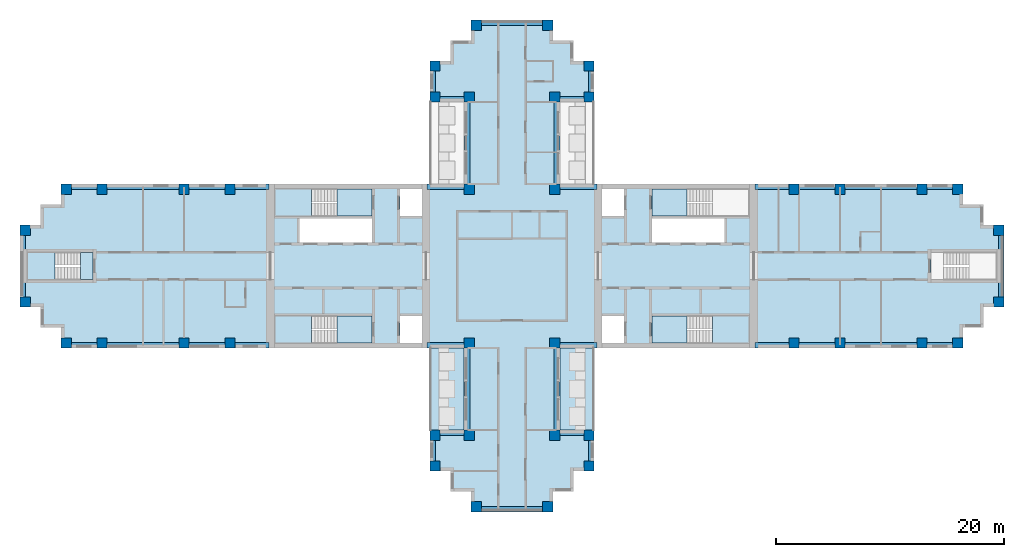
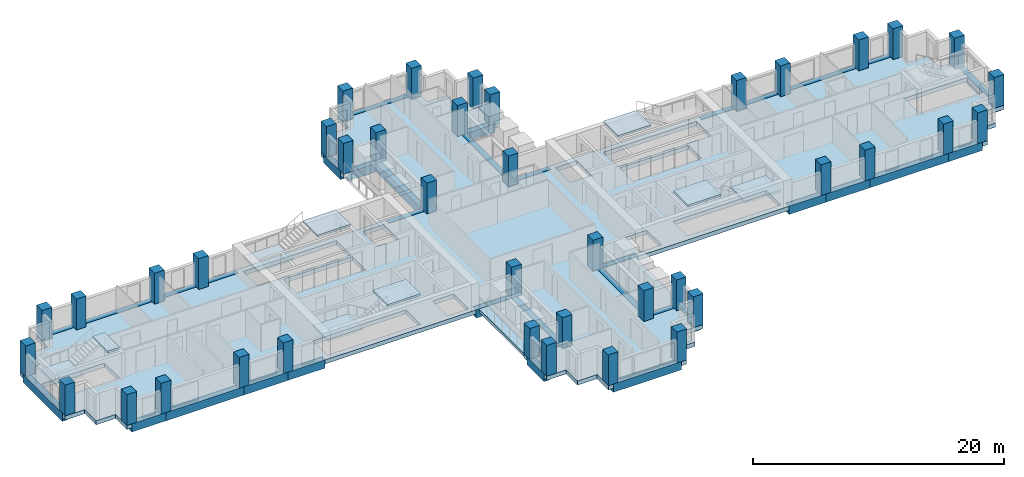
# One storey, part 1 of 11: 40 columns, 36 beams, 12 slabs, 5 elements without a shape of their own.
"""IFC4 building model written with IfcOpenShell, lengths in metres."""

from ifc_helpers import new_model, si_unit, direction, frame, origin, origin_2d, place, context, subcontext, project, spatial, polyline, rectangle, outline, extrude, material, layer, layer_set, material_profile, profile_set, type_object, element, aggregate, save


model = new_model("IFC4")

# Units and contexts
model_context = context("Model", 3, precision=1e-05, world=origin(), true_north=direction((0.0, 1.0)))
body_context = subcontext(model_context, "Body", "Model", "MODEL_VIEW")
ifc_project = project(units=[si_unit("LENGTHUNIT", "METRE"), si_unit("AREAUNIT", "SQUARE_METRE"), si_unit("VOLUMEUNIT", "CUBIC_METRE"), si_unit("PLANEANGLEUNIT", "RADIAN"), si_unit("MASSUNIT", "GRAM", prefix="KILO")], contexts=[model_context])

# Site, building, storey
site_placement = place(None, origin())
site = spatial("IfcSite", under=ifc_project, at=site_placement, CompositionType="ELEMENT")
building_placement = place(site_placement, origin())
building = spatial("IfcBuilding", under=site, at=building_placement, Name="Fustian Cross Tower", CompositionType="ELEMENT")
storey_placement = place(building_placement, frame((0.0, 0.0, 138.300048828125)))
storey = spatial("IfcBuildingStorey", under=building, at=storey_placement, Name="L43", CompositionType="ELEMENT", Elevation=138.300048828125)

# Columns
ifc_material_1 = material(Name="Concrete C50/60", Category="concrete")
ifc_material_profile_1 = material_profile(ifc_material_1, rectangle(XDim=0.89990234375, YDim=0.89990234375, at=origin_2d()), Name="RC 900x900")
ifc_profile_set_1 = profile_set([ifc_material_profile_1], Name="Concrete C50/60")
column_type = type_object("IfcColumnType", Name="COLUMN RC 900x900 C50/60", PredefinedType="COLUMN", material=ifc_profile_set_1)
for number, where, z_axis, x_axis, name in (
    (1, (-42.75, -3.14990234375, 0.0), (0.0, 0.0, 1.0), (1.0, 0.0, 0.0), "COLUMN 001"),
    (2, (-42.75, 3.14990234375, 0.0), (0.0, 0.0, 1.0), (1.0, 0.0, 0.0), "COLUMN 002"),
    (3, (-39.14990234375, -6.75, 0.0), (0.0, 0.0, 1.0), (1.0, 0.0, 0.0), "COLUMN 003"),
    (4, (-39.14990234375, 6.75, 0.0), (0.0, 0.0, 1.0), (1.0, 0.0, 0.0), "COLUMN 004"),
    (5, (-36.0, -6.75, 0.0), (0.0, 0.0, 1.0), (1.0, 0.0, 0.0), "COLUMN 005"),
    (6, (-36.0, 6.75, 0.0), (0.0, 0.0, 1.0), (1.0, 0.0, 0.0), "COLUMN 006"),
    (7, (-28.800048828125, -6.75, 0.0), (0.0, 0.0, 1.0), (1.0, 0.0, 0.0), "COLUMN 007"),
    (8, (-28.800048828125, 6.75, 0.0), (0.0, 0.0, 1.0), (1.0, 0.0, 0.0), "COLUMN 010"),
    (9, (-24.75, -6.75, 0.0), (0.0, 0.0, 1.0), (1.0, 0.0, 0.0), "COLUMN 011"),
    (10, (-24.75, 6.75, 0.0), (0.0, 0.0, 1.0), (1.0, 0.0, 0.0), "COLUMN 012"),
    (11, (-6.75, -17.550048828125, 0.0), (0.0, 0.0, 1.0), (1.0, 0.0, 0.0), "COLUMN 017"),
    (12, (-6.75, -14.85009765625, 0.0), (0.0, 0.0, 1.0), (1.0, 0.0, 0.0), "COLUMN 018"),
    (13, (-6.75, 14.85009765625, 0.0), (0.0, 0.0, 1.0), (1.0, 0.0, 0.0), "COLUMN 019"),
    (14, (-6.75, 17.550048828125, 0.0), (0.0, 0.0, 1.0), (1.0, 0.0, 0.0), "COLUMN 020"),
    (15, (-3.75, -14.85009765625, 0.0), (0.0, 0.0, 1.0), (1.0, 0.0, 0.0), "COLUMN 025"),
    (16, (-3.75, -6.75, 0.0), (0.0, 0.0, 1.0), (1.0, 0.0, 0.0), "COLUMN 026"),
    (17, (-3.75, 6.75, 0.0), (0.0, 0.0, 1.0), (1.0, 0.0, 0.0), "COLUMN 027"),
    (18, (-3.75, 14.85009765625, 0.0), (0.0, 0.0, 1.0), (1.0, 0.0, 0.0), "COLUMN 028"),
    (19, (-3.14990234375, -21.14990234375, 0.0), (0.0, 0.0, 1.0), (1.0, 0.0, 0.0), "COLUMN 030"),
    (20, (-3.14990234375, 21.14990234375, 0.0), (0.0, 0.0, 1.0), (1.0, 0.0, 0.0), "COLUMN 031"),
    (21, (3.14990234375, -21.14990234375, 0.0), (0.0, 0.0, 1.0), (1.0, 0.0, 0.0), "COLUMN 034"),
    (22, (3.14990234375, 21.14990234375, 0.0), (0.0, 0.0, 1.0), (1.0, 0.0, 0.0), "COLUMN 035"),
    (23, (3.75, -14.85009765625, 0.0), (0.0, 0.0, 1.0), (1.0, 0.0, 0.0), "COLUMN 037"),
    (24, (3.75, -6.75, 0.0), (0.0, 0.0, 1.0), (1.0, 0.0, 0.0), "COLUMN 038"),
    (25, (3.75, 6.75, 0.0), (0.0, 0.0, 1.0), (1.0, 0.0, 0.0), "COLUMN 039"),
    (26, (3.75, 14.85009765625, 0.0), (0.0, 0.0, 1.0), (1.0, 0.0, 0.0), "COLUMN 040"),
    (27, (6.75, -17.550048828125, 0.0), (0.0, 0.0, 1.0), (1.0, 0.0, 0.0), "COLUMN 045"),
    (28, (6.75, -14.85009765625, 0.0), (0.0, 0.0, 1.0), (1.0, 0.0, 0.0), "COLUMN 046"),
    (29, (6.75, 14.85009765625, 0.0), (0.0, 0.0, 1.0), (1.0, 0.0, 0.0), "COLUMN 047"),
    (30, (6.75, 17.550048828125, 0.0), (0.0, 0.0, 1.0), (1.0, 0.0, 0.0), "COLUMN 048"),
    (31, (24.75, -6.75, 0.0), (0.0, 0.0, 1.0), (1.0, 0.0, 0.0), "COLUMN 053"),
    (32, (24.75, 6.75, 0.0), (0.0, 0.0, 1.0), (1.0, 0.0, 0.0), "COLUMN 054"),
    (33, (28.800048828125, -6.75, 0.0), (0.0, 0.0, 1.0), (1.0, 0.0, 0.0), "COLUMN 055"),
    (34, (28.800048828125, 6.75, 0.0), (0.0, 0.0, 1.0), (1.0, 0.0, 0.0), "COLUMN 058"),
    (35, (36.0, -6.75, 0.0), (0.0, 0.0, 1.0), (1.0, 0.0, 0.0), "COLUMN 059"),
    (36, (36.0, 6.75, 0.0), (0.0, 0.0, 1.0), (1.0, 0.0, 0.0), "COLUMN 060"),
    (37, (39.14990234375, -6.75, 0.0), (0.0, 0.0, 1.0), (1.0, 0.0, 0.0), "COLUMN 061"),
    (38, (39.14990234375, 6.75, 0.0), (0.0, 0.0, 1.0), (1.0, 0.0, 0.0), "COLUMN 062"),
    (39, (42.75, -3.14990234375, 0.0), (0.0, 0.0, 1.0), (1.0, 0.0, 0.0), "COLUMN 063"),
    (40, (42.75, 3.14990234375, 0.0), (0.0, 0.0, 1.0), (1.0, 0.0, 0.0), "COLUMN 064"),
):
    element("IfcColumn", number, at=place(storey_placement, frame(where, z_axis=z_axis, x_axis=x_axis)), inside=storey, type_object=column_type, Name=name, PredefinedType="COLUMN", context=body_context, shape_type="SweptSolid", body=[
        extrude(rectangle(XDim=0.89990234375, YDim=0.89990234375, at=origin_2d()), origin(), (0.0, 0.0, 1.0), 3.0),
    ])

# Beams
ifc_material_2 = material(Name="Concrete C50/60", Category="concrete")
ifc_material_profile_2 = material_profile(ifc_material_2, rectangle(XDim=0.5, YDim=0.800048828125, at=origin_2d()), Name="RC 500x800")
ifc_profile_set_2 = profile_set([ifc_material_profile_2], Name="Concrete C50/60")
beam_type = type_object("IfcBeamType", Name="EDGE BEAM RC 500x800 C50/60", PredefinedType="SPANDREL", material=ifc_profile_set_2)
beam_1_placement = place(storey_placement, frame((21.35009765625, -6.949951171875, -0.400146484375), z_axis=(1.0, 0.0, 0.0), x_axis=(0.0, 1.0, 0.0)))
element("IfcBeam", 41, at=beam_1_placement, inside=storey, type_object=beam_type, Name="EDGE BEAM L43-01", PredefinedType="SPANDREL", context=body_context, shape_type="SweptSolid", body=[
    extrude(rectangle(XDim=0.5, YDim=0.800048828125, at=origin_2d()), origin(), (0.0, 0.0, 1.0), 3.39990234375),
])
beam_2_placement = place(storey_placement, frame((24.75, -6.949951171875, -0.400146484375), z_axis=(1.0, 0.0, 0.0), x_axis=(0.0, 1.0, 0.0)))
element("IfcBeam", 42, at=beam_2_placement, inside=storey, type_object=beam_type, Name="EDGE BEAM L43-02", PredefinedType="SPANDREL", context=body_context, shape_type="SweptSolid", body=[
    extrude(rectangle(XDim=0.5, YDim=0.800048828125, at=origin_2d()), origin(), (0.0, 0.0, 1.0), 4.050048828125),
])
beam_3_placement = place(storey_placement, frame((28.800048828125, -6.949951171875, -0.400146484375), z_axis=(1.0, 0.0, 0.0), x_axis=(0.0, 1.0, 0.0)))
element("IfcBeam", 43, at=beam_3_placement, inside=storey, type_object=beam_type, Name="EDGE BEAM L43-03", PredefinedType="SPANDREL", context=body_context, shape_type="SweptSolid", body=[
    extrude(rectangle(XDim=0.5, YDim=0.800048828125, at=origin_2d()), origin(), (0.0, 0.0, 1.0), 7.199951171875),
])
beam_4_placement = place(storey_placement, frame((36.0, -6.949951171875, -0.400146484375), z_axis=(1.0, 0.0, 0.0), x_axis=(0.0, 1.0, 0.0)))
element("IfcBeam", 44, at=beam_4_placement, inside=storey, type_object=beam_type, Name="EDGE BEAM L43-04", PredefinedType="SPANDREL", context=body_context, shape_type="SweptSolid", body=[
    extrude(rectangle(XDim=0.5, YDim=0.800048828125, at=origin_2d()), origin(), (0.0, 0.0, 1.0), 3.14990234375),
])
beam_5_placement = place(storey_placement, frame((42.949951171875, -3.14990234375, -0.400146484375), z_axis=(0.0, 1.0, 0.0), x_axis=(-1.0, 0.0, 0.0)))
element("IfcBeam", 45, at=beam_5_placement, inside=storey, type_object=beam_type, Name="EDGE BEAM L43-05", PredefinedType="SPANDREL", context=body_context, shape_type="SweptSolid", body=[
    extrude(rectangle(XDim=0.5, YDim=0.800048828125, at=origin_2d()), origin(), (0.0, 0.0, 1.0), 6.2998046875),
])
beam_6_placement = place(storey_placement, frame((39.14990234375, 6.949951171875, -0.400146484375), z_axis=(-1.0, 0.0, 0.0), x_axis=(0.0, -1.0, 0.0)))
element("IfcBeam", 46, at=beam_6_placement, inside=storey, type_object=beam_type, Name="EDGE BEAM L43-06", PredefinedType="SPANDREL", context=body_context, shape_type="SweptSolid", body=[
    extrude(rectangle(XDim=0.5, YDim=0.800048828125, at=origin_2d()), origin(), (0.0, 0.0, 1.0), 3.14990234375),
])
beam_7_placement = place(storey_placement, frame((36.0, 6.949951171875, -0.400146484375), z_axis=(-1.0, 0.0, 0.0), x_axis=(0.0, -1.0, 0.0)))
element("IfcBeam", 47, at=beam_7_placement, inside=storey, type_object=beam_type, Name="EDGE BEAM L43-07", PredefinedType="SPANDREL", context=body_context, shape_type="SweptSolid", body=[
    extrude(rectangle(XDim=0.5, YDim=0.800048828125, at=origin_2d()), origin(), (0.0, 0.0, 1.0), 7.199951171875),
])
beam_8_placement = place(storey_placement, frame((28.800048828125, 6.949951171875, -0.400146484375), z_axis=(-1.0, 0.0, 0.0), x_axis=(0.0, -1.0, 0.0)))
element("IfcBeam", 48, at=beam_8_placement, inside=storey, type_object=beam_type, Name="EDGE BEAM L43-08", PredefinedType="SPANDREL", context=body_context, shape_type="SweptSolid", body=[
    extrude(rectangle(XDim=0.5, YDim=0.800048828125, at=origin_2d()), origin(), (0.0, 0.0, 1.0), 4.050048828125),
])
beam_9_placement = place(storey_placement, frame((24.75, 6.949951171875, -0.400146484375), z_axis=(-1.0, 0.0, 0.0), x_axis=(0.0, -1.0, 0.0)))
element("IfcBeam", 49, at=beam_9_placement, inside=storey, type_object=beam_type, Name="EDGE BEAM L43-09", PredefinedType="SPANDREL", context=body_context, shape_type="SweptSolid", body=[
    extrude(rectangle(XDim=0.5, YDim=0.800048828125, at=origin_2d()), origin(), (0.0, 0.0, 1.0), 3.39990234375),
])
beam_10_placement = place(storey_placement, frame((7.449951171875, 6.949951171875, -0.400146484375), z_axis=(-1.0, 0.0, 0.0), x_axis=(0.0, -1.0, 0.0)))
element("IfcBeam", 50, at=beam_10_placement, inside=storey, type_object=beam_type, Name="EDGE BEAM L43-10", PredefinedType="SPANDREL", context=body_context, shape_type="SweptSolid", body=[
    extrude(rectangle(XDim=0.5, YDim=0.800048828125, at=origin_2d()), origin(), (0.0, 0.0, 1.0), 3.699951171875),
])
beam_11_placement = place(storey_placement, frame((3.949951171875, 6.75, -0.400146484375), z_axis=(0.0, 1.0, 0.0), x_axis=(-1.0, 0.0, 0.0)))
element("IfcBeam", 51, at=beam_11_placement, inside=storey, type_object=beam_type, Name="EDGE BEAM L43-11", PredefinedType="SPANDREL", context=body_context, shape_type="SweptSolid", body=[
    extrude(rectangle(XDim=0.5, YDim=0.800048828125, at=origin_2d()), origin(), (0.0, 0.0, 1.0), 8.10009765625),
])
beam_12_placement = place(storey_placement, frame((3.75, 14.64990234375, -0.400146484375), z_axis=(1.0, 0.0, 0.0), x_axis=(0.0, 1.0, 0.0)))
element("IfcBeam", 52, at=beam_12_placement, inside=storey, type_object=beam_type, Name="EDGE BEAM L43-12", PredefinedType="SPANDREL", context=body_context, shape_type="SweptSolid", body=[
    extrude(rectangle(XDim=0.5, YDim=0.800048828125, at=origin_2d()), origin(), (0.0, 0.0, 1.0), 3.0),
])
beam_13_placement = place(storey_placement, frame((6.949951171875, 14.85009765625, -0.400146484375), z_axis=(0.0, 1.0, 0.0), x_axis=(-1.0, 0.0, 0.0)))
element("IfcBeam", 53, at=beam_13_placement, inside=storey, type_object=beam_type, Name="EDGE BEAM L43-13", PredefinedType="SPANDREL", context=body_context, shape_type="SweptSolid", body=[
    extrude(rectangle(XDim=0.5, YDim=0.800048828125, at=origin_2d()), origin(), (0.0, 0.0, 1.0), 2.699951171875),
])
beam_14_placement = place(storey_placement, frame((3.14990234375, 21.35009765625, -0.400146484375), z_axis=(-1.0, 0.0, 0.0), x_axis=(0.0, -1.0, 0.0)))
element("IfcBeam", 54, at=beam_14_placement, inside=storey, type_object=beam_type, Name="EDGE BEAM L43-14", PredefinedType="SPANDREL", context=body_context, shape_type="SweptSolid", body=[
    extrude(rectangle(XDim=0.5, YDim=0.800048828125, at=origin_2d()), origin(), (0.0, 0.0, 1.0), 6.2998046875),
])
beam_15_placement = place(storey_placement, frame((-6.949951171875, 17.550048828125, -0.400146484375), z_axis=(0.0, -1.0, 0.0), x_axis=(1.0, 0.0, 0.0)))
element("IfcBeam", 55, at=beam_15_placement, inside=storey, type_object=beam_type, Name="EDGE BEAM L43-15", PredefinedType="SPANDREL", context=body_context, shape_type="SweptSolid", body=[
    extrude(rectangle(XDim=0.5, YDim=0.800048828125, at=origin_2d()), origin(), (0.0, 0.0, 1.0), 2.699951171875),
])
beam_16_placement = place(storey_placement, frame((-6.75, 14.64990234375, -0.400146484375), z_axis=(1.0, 0.0, 0.0), x_axis=(0.0, 1.0, 0.0)))
element("IfcBeam", 56, at=beam_16_placement, inside=storey, type_object=beam_type, Name="EDGE BEAM L43-16", PredefinedType="SPANDREL", context=body_context, shape_type="SweptSolid", body=[
    extrude(rectangle(XDim=0.5, YDim=0.800048828125, at=origin_2d()), origin(), (0.0, 0.0, 1.0), 3.0),
])
beam_17_placement = place(storey_placement, frame((-3.949951171875, 14.85009765625, -0.400146484375), z_axis=(0.0, -1.0, 0.0), x_axis=(1.0, 0.0, 0.0)))
element("IfcBeam", 57, at=beam_17_placement, inside=storey, type_object=beam_type, Name="EDGE BEAM L43-17", PredefinedType="SPANDREL", context=body_context, shape_type="SweptSolid", body=[
    extrude(rectangle(XDim=0.5, YDim=0.800048828125, at=origin_2d()), origin(), (0.0, 0.0, 1.0), 8.10009765625),
])
beam_18_placement = place(storey_placement, frame((-3.75, 6.949951171875, -0.400146484375), z_axis=(-1.0, 0.0, 0.0), x_axis=(0.0, -1.0, 0.0)))
element("IfcBeam", 58, at=beam_18_placement, inside=storey, type_object=beam_type, Name="EDGE BEAM L43-18", PredefinedType="SPANDREL", context=body_context, shape_type="SweptSolid", body=[
    extrude(rectangle(XDim=0.5, YDim=0.800048828125, at=origin_2d()), origin(), (0.0, 0.0, 1.0), 3.699951171875),
])
beam_19_placement = place(storey_placement, frame((-21.35009765625, 6.949951171875, -0.400146484375), z_axis=(-1.0, 0.0, 0.0), x_axis=(0.0, -1.0, 0.0)))
element("IfcBeam", 59, at=beam_19_placement, inside=storey, type_object=beam_type, Name="EDGE BEAM L43-19", PredefinedType="SPANDREL", context=body_context, shape_type="SweptSolid", body=[
    extrude(rectangle(XDim=0.5, YDim=0.800048828125, at=origin_2d()), origin(), (0.0, 0.0, 1.0), 3.39990234375),
])
beam_20_placement = place(storey_placement, frame((-24.75, 6.949951171875, -0.400146484375), z_axis=(-1.0, 0.0, 0.0), x_axis=(0.0, -1.0, 0.0)))
element("IfcBeam", 60, at=beam_20_placement, inside=storey, type_object=beam_type, Name="EDGE BEAM L43-20", PredefinedType="SPANDREL", context=body_context, shape_type="SweptSolid", body=[
    extrude(rectangle(XDim=0.5, YDim=0.800048828125, at=origin_2d()), origin(), (0.0, 0.0, 1.0), 4.050048828125),
])
beam_21_placement = place(storey_placement, frame((-28.800048828125, 6.949951171875, -0.400146484375), z_axis=(-1.0, 0.0, 0.0), x_axis=(0.0, -1.0, 0.0)))
element("IfcBeam", 61, at=beam_21_placement, inside=storey, type_object=beam_type, Name="EDGE BEAM L43-21", PredefinedType="SPANDREL", context=body_context, shape_type="SweptSolid", body=[
    extrude(rectangle(XDim=0.5, YDim=0.800048828125, at=origin_2d()), origin(), (0.0, 0.0, 1.0), 7.199951171875),
])
beam_22_placement = place(storey_placement, frame((-36.0, 6.949951171875, -0.400146484375), z_axis=(-1.0, 0.0, 0.0), x_axis=(0.0, -1.0, 0.0)))
element("IfcBeam", 62, at=beam_22_placement, inside=storey, type_object=beam_type, Name="EDGE BEAM L43-22", PredefinedType="SPANDREL", context=body_context, shape_type="SweptSolid", body=[
    extrude(rectangle(XDim=0.5, YDim=0.800048828125, at=origin_2d()), origin(), (0.0, 0.0, 1.0), 3.14990234375),
])
beam_23_placement = place(storey_placement, frame((-42.949951171875, 3.14990234375, -0.400146484375), z_axis=(0.0, -1.0, 0.0), x_axis=(1.0, 0.0, 0.0)))
element("IfcBeam", 63, at=beam_23_placement, inside=storey, type_object=beam_type, Name="EDGE BEAM L43-23", PredefinedType="SPANDREL", context=body_context, shape_type="SweptSolid", body=[
    extrude(rectangle(XDim=0.5, YDim=0.800048828125, at=origin_2d()), origin(), (0.0, 0.0, 1.0), 6.2998046875),
])
beam_24_placement = place(storey_placement, frame((-39.14990234375, -6.949951171875, -0.400146484375), z_axis=(1.0, 0.0, 0.0), x_axis=(0.0, 1.0, 0.0)))
element("IfcBeam", 64, at=beam_24_placement, inside=storey, type_object=beam_type, Name="EDGE BEAM L43-24", PredefinedType="SPANDREL", context=body_context, shape_type="SweptSolid", body=[
    extrude(rectangle(XDim=0.5, YDim=0.800048828125, at=origin_2d()), origin(), (0.0, 0.0, 1.0), 3.14990234375),
])
beam_25_placement = place(storey_placement, frame((-36.0, -6.949951171875, -0.400146484375), z_axis=(1.0, 0.0, 0.0), x_axis=(0.0, 1.0, 0.0)))
element("IfcBeam", 65, at=beam_25_placement, inside=storey, type_object=beam_type, Name="EDGE BEAM L43-25", PredefinedType="SPANDREL", context=body_context, shape_type="SweptSolid", body=[
    extrude(rectangle(XDim=0.5, YDim=0.800048828125, at=origin_2d()), origin(), (0.0, 0.0, 1.0), 7.199951171875),
])
beam_26_placement = place(storey_placement, frame((-28.800048828125, -6.949951171875, -0.400146484375), z_axis=(1.0, 0.0, 0.0), x_axis=(0.0, 1.0, 0.0)))
element("IfcBeam", 66, at=beam_26_placement, inside=storey, type_object=beam_type, Name="EDGE BEAM L43-26", PredefinedType="SPANDREL", context=body_context, shape_type="SweptSolid", body=[
    extrude(rectangle(XDim=0.5, YDim=0.800048828125, at=origin_2d()), origin(), (0.0, 0.0, 1.0), 4.050048828125),
])
beam_27_placement = place(storey_placement, frame((-24.75, -6.949951171875, -0.400146484375), z_axis=(1.0, 0.0, 0.0), x_axis=(0.0, 1.0, 0.0)))
element("IfcBeam", 67, at=beam_27_placement, inside=storey, type_object=beam_type, Name="EDGE BEAM L43-27", PredefinedType="SPANDREL", context=body_context, shape_type="SweptSolid", body=[
    extrude(rectangle(XDim=0.5, YDim=0.800048828125, at=origin_2d()), origin(), (0.0, 0.0, 1.0), 3.39990234375),
])
beam_28_placement = place(storey_placement, frame((-7.449951171875, -6.949951171875, -0.400146484375), z_axis=(1.0, 0.0, 0.0), x_axis=(0.0, 1.0, 0.0)))
element("IfcBeam", 68, at=beam_28_placement, inside=storey, type_object=beam_type, Name="EDGE BEAM L43-28", PredefinedType="SPANDREL", context=body_context, shape_type="SweptSolid", body=[
    extrude(rectangle(XDim=0.5, YDim=0.800048828125, at=origin_2d()), origin(), (0.0, 0.0, 1.0), 3.699951171875),
])
beam_29_placement = place(storey_placement, frame((-3.949951171875, -6.75, -0.400146484375), z_axis=(0.0, -1.0, 0.0), x_axis=(1.0, 0.0, 0.0)))
element("IfcBeam", 69, at=beam_29_placement, inside=storey, type_object=beam_type, Name="EDGE BEAM L43-29", PredefinedType="SPANDREL", context=body_context, shape_type="SweptSolid", body=[
    extrude(rectangle(XDim=0.5, YDim=0.800048828125, at=origin_2d()), origin(), (0.0, 0.0, 1.0), 8.10009765625),
])
beam_30_placement = place(storey_placement, frame((-3.75, -14.64990234375, -0.400146484375), z_axis=(-1.0, 0.0, 0.0), x_axis=(0.0, -1.0, 0.0)))
element("IfcBeam", 70, at=beam_30_placement, inside=storey, type_object=beam_type, Name="EDGE BEAM L43-30", PredefinedType="SPANDREL", context=body_context, shape_type="SweptSolid", body=[
    extrude(rectangle(XDim=0.5, YDim=0.800048828125, at=origin_2d()), origin(), (0.0, 0.0, 1.0), 3.0),
])
beam_31_placement = place(storey_placement, frame((-6.949951171875, -14.85009765625, -0.400146484375), z_axis=(0.0, -1.0, 0.0), x_axis=(1.0, 0.0, 0.0)))
element("IfcBeam", 71, at=beam_31_placement, inside=storey, type_object=beam_type, Name="EDGE BEAM L43-31", PredefinedType="SPANDREL", context=body_context, shape_type="SweptSolid", body=[
    extrude(rectangle(XDim=0.5, YDim=0.800048828125, at=origin_2d()), origin(), (0.0, 0.0, 1.0), 2.699951171875),
])
beam_32_placement = place(storey_placement, frame((-3.14990234375, -21.35009765625, -0.400146484375), z_axis=(1.0, 0.0, 0.0), x_axis=(0.0, 1.0, 0.0)))
element("IfcBeam", 72, at=beam_32_placement, inside=storey, type_object=beam_type, Name="EDGE BEAM L43-32", PredefinedType="SPANDREL", context=body_context, shape_type="SweptSolid", body=[
    extrude(rectangle(XDim=0.5, YDim=0.800048828125, at=origin_2d()), origin(), (0.0, 0.0, 1.0), 6.2998046875),
])
beam_33_placement = place(storey_placement, frame((6.949951171875, -17.550048828125, -0.400146484375), z_axis=(0.0, 1.0, 0.0), x_axis=(-1.0, 0.0, 0.0)))
element("IfcBeam", 73, at=beam_33_placement, inside=storey, type_object=beam_type, Name="EDGE BEAM L43-33", PredefinedType="SPANDREL", context=body_context, shape_type="SweptSolid", body=[
    extrude(rectangle(XDim=0.5, YDim=0.800048828125, at=origin_2d()), origin(), (0.0, 0.0, 1.0), 2.699951171875),
])
beam_34_placement = place(storey_placement, frame((6.75, -14.64990234375, -0.400146484375), z_axis=(-1.0, 0.0, 0.0), x_axis=(0.0, -1.0, 0.0)))
element("IfcBeam", 74, at=beam_34_placement, inside=storey, type_object=beam_type, Name="EDGE BEAM L43-34", PredefinedType="SPANDREL", context=body_context, shape_type="SweptSolid", body=[
    extrude(rectangle(XDim=0.5, YDim=0.800048828125, at=origin_2d()), origin(), (0.0, 0.0, 1.0), 3.0),
])
beam_35_placement = place(storey_placement, frame((3.949951171875, -14.85009765625, -0.400146484375), z_axis=(0.0, 1.0, 0.0), x_axis=(-1.0, 0.0, 0.0)))
element("IfcBeam", 75, at=beam_35_placement, inside=storey, type_object=beam_type, Name="EDGE BEAM L43-35", PredefinedType="SPANDREL", context=body_context, shape_type="SweptSolid", body=[
    extrude(rectangle(XDim=0.5, YDim=0.800048828125, at=origin_2d()), origin(), (0.0, 0.0, 1.0), 8.10009765625),
])
beam_36_placement = place(storey_placement, frame((3.75, -6.949951171875, -0.400146484375), z_axis=(1.0, 0.0, 0.0), x_axis=(0.0, 1.0, 0.0)))
element("IfcBeam", 76, at=beam_36_placement, inside=storey, type_object=beam_type, Name="EDGE BEAM L43-36", PredefinedType="SPANDREL", context=body_context, shape_type="SweptSolid", body=[
    extrude(rectangle(XDim=0.5, YDim=0.800048828125, at=origin_2d()), origin(), (0.0, 0.0, 1.0), 3.699951171875),
])

# Slabs
ifc_material_3 = material(Name="Concrete C40/50", Category="concrete")
ifc_layer_1 = layer(ifc_material_3, 0.300048828125)
ifc_layer_set_1 = layer_set([ifc_layer_1], Name="Concrete C40/50")
slab_type_1 = type_object("IfcSlabType", Name="BS1 BALCONY SLAB 300", PredefinedType="FLOOR", material=ifc_layer_set_1)
slab_1_placement = place(storey_placement, frame((0.0, 0.0, -0.300048828125)))
element("IfcSlab", 77, at=slab_1_placement, inside=storey, type_object=slab_type_1, Name="Balcony slab", PredefinedType="FLOOR", context=body_context, shape_type="SweptSolid", body=[
    extrude(outline(polyline([(4.199951171875, -14.39990234375), (7.199951171875, -14.39990234375), (7.199951171875, -7.199951171875), (4.199951171875, -7.199951171875), (4.199951171875, -14.39990234375)])), origin(), (0.0, 0.0, 1.0), 0.300048828125),
])
slab_2_placement = place(storey_placement, frame((0.0, 0.0, -0.300048828125)))
element("IfcSlab", 78, at=slab_2_placement, inside=storey, type_object=slab_type_1, Name="Balcony slab", PredefinedType="FLOOR", context=body_context, shape_type="SweptSolid", body=[
    extrude(outline(polyline([(-7.199951171875, -14.39990234375), (-4.199951171875, -14.39990234375), (-4.199951171875, -7.199951171875), (-7.199951171875, -7.199951171875), (-7.199951171875, -14.39990234375)])), origin(), (0.0, 0.0, 1.0), 0.300048828125),
])
ifc_material_4 = material(Name="Concrete C40/50", Category="concrete")
ifc_layer_2 = layer(ifc_material_4, 0.39990234375)
ifc_layer_set_2 = layer_set([ifc_layer_2], Name="Concrete C40/50")
slab_type_2 = type_object("IfcSlabType", Name="FLAT SLAB 400", PredefinedType="FLOOR", material=ifc_layer_set_2)
slab_3_placement = place(storey_placement, frame((0.0, 0.0, -0.400146484375)))
element("IfcSlab", 79, at=slab_3_placement, inside=storey, type_object=slab_type_2, Name="FLOOR SLAB L43-1", PredefinedType="FLOOR", context=body_context, shape_type="SweptSolid", body=[
    extrude(outline(polyline([(-5.39990234375, -18.0), (-7.199951171875, -18.0), (-7.199951171875, -14.39990234375), (-4.199951171875, -14.39990234375), (-4.199951171875, -7.199951171875), (-39.60009765625, -7.199951171875), (-39.60009765625, -5.39990234375), (-41.39990234375, -5.39990234375), (-41.39990234375, -3.60009765625), (-43.199951171875, -3.60009765625), (-43.199951171875, 3.60009765625), (-41.39990234375, 3.60009765625), (-41.39990234375, 5.39990234375), (-39.60009765625, 5.39990234375), (-39.60009765625, 7.199951171875), (-4.199951171875, 7.199951171875), (-4.199951171875, 14.39990234375), (-7.199951171875, 14.39990234375), (-7.199951171875, 18.0), (-5.39990234375, 18.0), (-5.39990234375, 19.800048828125), (-3.60009765625, 19.800048828125), (-3.60009765625, 21.60009765625), (3.60009765625, 21.60009765625), (3.60009765625, 19.800048828125), (5.39990234375, 19.800048828125), (5.39990234375, 18.0), (7.199951171875, 18.0), (7.199951171875, 14.39990234375), (4.199951171875, 14.39990234375), (4.199951171875, 7.199951171875), (39.60009765625, 7.199951171875), (39.60009765625, 5.39990234375), (41.39990234375, 5.39990234375), (41.39990234375, 3.60009765625), (43.199951171875, 3.60009765625), (43.199951171875, -3.60009765625), (41.39990234375, -3.60009765625), (41.39990234375, -5.39990234375), (39.60009765625, -5.39990234375), (39.60009765625, -7.199951171875), (4.199951171875, -7.199951171875), (4.199951171875, -14.39990234375), (7.199951171875, -14.39990234375), (7.199951171875, -18.0), (5.39990234375, -18.0), (5.39990234375, -19.800048828125), (3.60009765625, -19.800048828125), (3.60009765625, -21.60009765625), (-3.60009765625, -21.60009765625), (-3.60009765625, -19.800048828125), (-5.39990234375, -19.800048828125), (-5.39990234375, -18.0)]), holes=[polyline([(9.85009765625, 4.39990234375), (9.85009765625, 6.75), (7.89990234375, 6.75), (7.89990234375, 4.39990234375), (9.85009765625, 4.39990234375)]), polyline([(7.89990234375, -6.75), (9.85009765625, -6.75), (9.85009765625, -4.39990234375), (7.89990234375, -4.39990234375), (7.89990234375, -6.75)]), polyline([(-9.85009765625, 6.75), (-9.85009765625, 4.39990234375), (-7.89990234375, 4.39990234375), (-7.89990234375, 6.75), (-9.85009765625, 6.75)]), polyline([(-7.89990234375, -4.39990234375), (-9.85009765625, -4.39990234375), (-9.85009765625, -6.75), (-7.89990234375, -6.75), (-7.89990234375, -4.39990234375)]), polyline([(18.64990234375, 2.050048828125), (18.64990234375, 4.14990234375), (12.300048828125, 4.14990234375), (12.300048828125, 2.050048828125), (18.64990234375, 2.050048828125)]), polyline([(-18.64990234375, 2.050048828125), (-12.300048828125, 2.050048828125), (-12.300048828125, 4.14990234375), (-18.64990234375, 4.14990234375), (-18.64990234375, 2.050048828125)]), polyline([(12.300048828125, 6.699951171875), (12.300048828125, 4.39990234375), (20.85009765625, 4.39990234375), (20.85009765625, 6.699951171875), (12.300048828125, 6.699951171875)]), polyline([(20.85009765625, -4.39990234375), (12.300048828125, -4.39990234375), (12.300048828125, -6.699951171875), (20.85009765625, -6.699951171875), (20.85009765625, -4.39990234375)]), polyline([(-12.300048828125, 4.39990234375), (-12.300048828125, 6.699951171875), (-20.85009765625, 6.699951171875), (-20.85009765625, 4.39990234375), (-12.300048828125, 4.39990234375)]), polyline([(-20.85009765625, -6.699951171875), (-12.300048828125, -6.699951171875), (-12.300048828125, -4.39990234375), (-20.85009765625, -4.39990234375), (-20.85009765625, -6.699951171875)]), polyline([(36.800048828125, 1.199951171875), (36.800048828125, -1.199951171875), (42.60009765625, -1.199951171875), (42.60009765625, 1.199951171875), (36.800048828125, 1.199951171875)]), polyline([(-36.800048828125, 1.199951171875), (-42.60009765625, 1.199951171875), (-42.60009765625, -1.199951171875), (-36.800048828125, -1.199951171875), (-36.800048828125, 1.199951171875)])]), origin(), (0.0, 0.0, 1.0), 0.400146484375),
])

# Stair, slab
ifc_material_5 = material(Name="Concrete C50/60", Category="concrete")
stair_type_1 = type_object("IfcStairType", Name="STAIR 1150 HALF TURN", PredefinedType="HALF_TURN_STAIR", material=ifc_material_5)
stair_1_placement = place(storey_placement, origin())
stair_1 = element("IfcStair", 80, at=stair_1_placement, inside=storey, type_object=stair_type_1, Name="Stair ST1", PredefinedType="HALF_TURN_STAIR")
ifc_material_6 = material(Name="Concrete C50/60", Category="concrete")
ifc_layer_3 = layer(ifc_material_6, 0.199951171875)
ifc_layer_set_3 = layer_set([ifc_layer_3], Name="Concrete C50/60")
slab_type_3 = type_object("IfcSlabType", Name="STAIR LANDING", PredefinedType="LANDING", material=ifc_layer_set_3)
slab_4_placement = place(storey_placement, frame((0.0, 0.0, 2.800048828125)))
slab_4 = element("IfcSlab", 81, at=slab_4_placement, type_object=slab_type_3, Name="ST1 landing 2", PredefinedType="LANDING", context=body_context, shape_type="SweptSolid", body=[
    extrude(outline(polyline([(12.300048828125, 4.39990234375), (15.35009765625, 4.39990234375), (15.35009765625, 6.75), (12.300048828125, 6.75), (12.300048828125, 4.39990234375)])), origin(), (0.0, 0.0, 1.0), 0.199951171875),
])
aggregate(stair_1, [slab_4])

# Stair, slabs
stair_2_placement = place(storey_placement, origin())
stair_2 = element("IfcStair", 82, at=stair_2_placement, inside=storey, type_object=stair_type_1, Name="Stair ST2", PredefinedType="HALF_TURN_STAIR")
slab_5_placement = place(storey_placement, frame((0.0, 0.0, 1.300048828125)))
slab_5 = element("IfcSlab", 83, at=slab_5_placement, type_object=slab_type_3, Name="ST2 landing 1", PredefinedType="LANDING", context=body_context, shape_type="SweptSolid", body=[
    extrude(outline(polyline([(17.590087890625, -4.39990234375), (20.85009765625, -4.39990234375), (20.85009765625, -6.75), (17.590087890625, -6.75), (17.590087890625, -4.39990234375)])), origin(), (0.0, 0.0, 1.0), 0.199951171875),
])
slab_6_placement = place(storey_placement, frame((0.0, 0.0, 2.800048828125)))
slab_6 = element("IfcSlab", 84, at=slab_6_placement, type_object=slab_type_3, Name="ST2 landing 2", PredefinedType="LANDING", context=body_context, shape_type="SweptSolid", body=[
    extrude(outline(polyline([(12.300048828125, -4.39990234375), (15.35009765625, -4.39990234375), (15.35009765625, -6.75), (12.300048828125, -6.75), (12.300048828125, -4.39990234375)])), origin(), (0.0, 0.0, 1.0), 0.199951171875),
])
aggregate(stair_2, [slab_5, slab_6])

stair_3_placement = place(storey_placement, origin())
stair_3 = element("IfcStair", 85, at=stair_3_placement, inside=storey, type_object=stair_type_1, Name="Stair ST3", PredefinedType="HALF_TURN_STAIR")
slab_7_placement = place(storey_placement, frame((0.0, 0.0, 1.300048828125)))
slab_7 = element("IfcSlab", 86, at=slab_7_placement, type_object=slab_type_3, Name="ST3 landing 1", PredefinedType="LANDING", context=body_context, shape_type="SweptSolid", body=[
    extrude(outline(polyline([(-17.590087890625, 4.39990234375), (-20.85009765625, 4.39990234375), (-20.85009765625, 6.75), (-17.590087890625, 6.75), (-17.590087890625, 4.39990234375)])), origin(), (0.0, 0.0, 1.0), 0.199951171875),
])
slab_8_placement = place(storey_placement, frame((0.0, 0.0, 2.800048828125)))
slab_8 = element("IfcSlab", 87, at=slab_8_placement, type_object=slab_type_3, Name="ST3 landing 2", PredefinedType="LANDING", context=body_context, shape_type="SweptSolid", body=[
    extrude(outline(polyline([(-12.300048828125, 4.39990234375), (-15.35009765625, 4.39990234375), (-15.35009765625, 6.75), (-12.300048828125, 6.75), (-12.300048828125, 4.39990234375)])), origin(), (0.0, 0.0, 1.0), 0.199951171875),
])
aggregate(stair_3, [slab_7, slab_8])

stair_4_placement = place(storey_placement, origin())
stair_4 = element("IfcStair", 88, at=stair_4_placement, inside=storey, type_object=stair_type_1, Name="Stair ST4", PredefinedType="HALF_TURN_STAIR")
slab_9_placement = place(storey_placement, frame((0.0, 0.0, 1.300048828125)))
slab_9 = element("IfcSlab", 89, at=slab_9_placement, type_object=slab_type_3, Name="ST4 landing 1", PredefinedType="LANDING", context=body_context, shape_type="SweptSolid", body=[
    extrude(outline(polyline([(-17.590087890625, -4.39990234375), (-20.85009765625, -4.39990234375), (-20.85009765625, -6.75), (-17.590087890625, -6.75), (-17.590087890625, -4.39990234375)])), origin(), (0.0, 0.0, 1.0), 0.199951171875),
])
slab_10_placement = place(storey_placement, frame((0.0, 0.0, 2.800048828125)))
slab_10 = element("IfcSlab", 90, at=slab_10_placement, type_object=slab_type_3, Name="ST4 landing 2", PredefinedType="LANDING", context=body_context, shape_type="SweptSolid", body=[
    extrude(outline(polyline([(-12.300048828125, -4.39990234375), (-15.35009765625, -4.39990234375), (-15.35009765625, -6.75), (-12.300048828125, -6.75), (-12.300048828125, -4.39990234375)])), origin(), (0.0, 0.0, 1.0), 0.199951171875),
])
aggregate(stair_4, [slab_9, slab_10])

ifc_material_7 = material(Name="Concrete C50/60", Category="concrete")
stair_type_2 = type_object("IfcStairType", Name="STAIR 1100 HALF TURN", PredefinedType="HALF_TURN_STAIR", material=ifc_material_7)
stair_5_placement = place(storey_placement, origin())
stair_5 = element("IfcStair", 91, at=stair_5_placement, inside=storey, type_object=stair_type_2, Name="Stair ST9", PredefinedType="HALF_TURN_STAIR")
slab_11_placement = place(storey_placement, frame((0.0, 0.0, 1.300048828125)))
slab_11 = element("IfcSlab", 92, at=slab_11_placement, type_object=slab_type_3, Name="ST9 landing 1", PredefinedType="LANDING", context=body_context, shape_type="SweptSolid", body=[
    extrude(outline(polyline([(-40.139892578125, -1.199951171875), (-42.60009765625, -1.199951171875), (-42.60009765625, 1.199951171875), (-40.139892578125, 1.199951171875), (-40.139892578125, -1.199951171875)])), origin(), (0.0, 0.0, 1.0), 0.199951171875),
])
slab_12_placement = place(storey_placement, frame((0.0, 0.0, 2.800048828125)))
slab_12 = element("IfcSlab", 93, at=slab_12_placement, type_object=slab_type_3, Name="ST9 landing 2", PredefinedType="LANDING", context=body_context, shape_type="SweptSolid", body=[
    extrude(outline(polyline([(-36.800048828125, -1.199951171875), (-37.89990234375, -1.199951171875), (-37.89990234375, 1.199951171875), (-36.800048828125, 1.199951171875), (-36.800048828125, -1.199951171875)])), origin(), (0.0, 0.0, 1.0), 0.199951171875),
])
aggregate(stair_5, [slab_11, slab_12])

save(model, "model.ifc")
